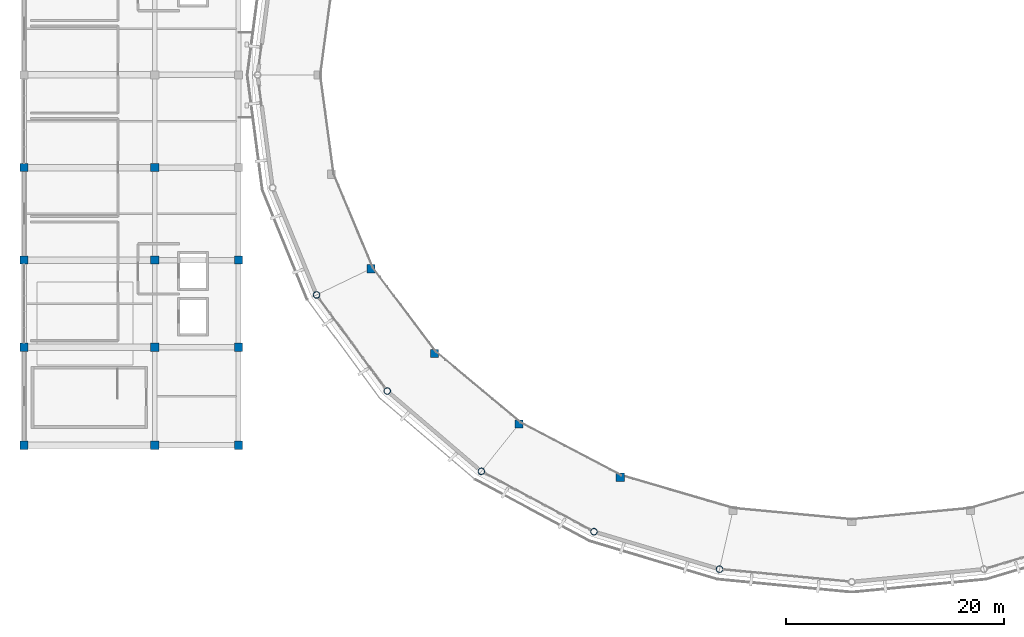
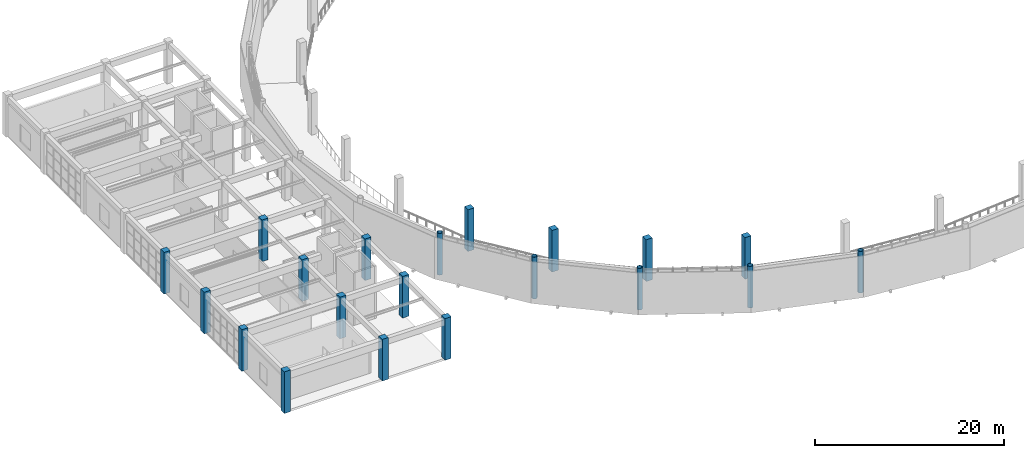
# One storey, part 1 of 40: 20 columns.
"""IFC4 building model written with IfcOpenShell, lengths in metres."""

from ifc_helpers import new_model, si_unit, direction, frame, origin, origin_2d, place, context, subcontext, project, spatial, rectangle, hollow_circle, extrude, material, material_profile, profile_set, type_object, element, save


model = new_model("IFC4")

# Units and contexts
model_context = context("Model", 3, precision=1e-05, world=origin(), true_north=direction((0.0, 1.0)))
body_context = subcontext(model_context, "Body", "Model", "MODEL_VIEW")
ifc_project = project(units=[si_unit("LENGTHUNIT", "METRE"), si_unit("AREAUNIT", "SQUARE_METRE"), si_unit("VOLUMEUNIT", "CUBIC_METRE"), si_unit("PLANEANGLEUNIT", "RADIAN"), si_unit("MASSUNIT", "GRAM", prefix="KILO")], contexts=[model_context])

# Site, building, storey
site_placement = place(None, origin())
site = spatial("IfcSite", under=ifc_project, at=site_placement, CompositionType="ELEMENT")
building_placement = place(site_placement, origin())
building = spatial("IfcBuilding", under=site, at=building_placement, Name="Cuetzalor Civic Arena", CompositionType="ELEMENT")
storey_placement = place(building_placement, frame((0.0, 0.0, 26.39990234375)))
storey = spatial("IfcBuildingStorey", under=building, at=storey_placement, Name="L05", CompositionType="ELEMENT", Elevation=26.39990234375)

# Columns
ifc_material_1 = material(Name="Concrete C40/50", Category="concrete")
ifc_material_profile_1 = material_profile(ifc_material_1, rectangle(XDim=0.75, YDim=0.75, at=origin_2d()), Name="RC 750x750")
ifc_profile_set_1 = profile_set([ifc_material_profile_1], Name="Concrete C40/50")
column_type_1 = type_object("IfcColumnType", Name="ConcreteColumn_750", PredefinedType="COLUMN", material=ifc_profile_set_1)
for number, where, z_axis, x_axis, name in (
    (1, (-44.1474609375, -17.789306640625, 0.0), (0.0, 0.0, 1.0), (1.0, 0.0, 0.0), "Column V1-REC-17 L05"),
    (2, (-38.309814453125, -25.56298828125, 0.0), (0.0, 0.0, 1.0), (1.0, 0.0, 0.0), "Column V1-REC-18 L05"),
    (3, (-30.551025390625, -32.05517578125, 0.0), (0.0, 0.0, 1.0), (1.0, 0.0, 0.0), "Column V1-REC-19 L05"),
    (4, (-21.26025390625, -36.939697265625, 0.0), (0.0, 0.0, 1.0), (1.0, 0.0, 0.0), "Column V1-REC-20 L05"),
    (5, (-76.0, -34.0, 0.0), (0.0, 0.0, 1.0), (1.0, 0.0, 0.0), "Column V4W-C-02-03 L05"),
    (6, (-76.0, -25.0, 0.0), (0.0, 0.0, 1.0), (1.0, 0.0, 0.0), "Column V4W-C-02-04 L05"),
    (7, (-76.0, -17.0, 0.0), (0.0, 0.0, 1.0), (1.0, 0.0, 0.0), "Column V4W-C-02-05 L05"),
    (8, (-76.0, -8.5, 0.0), (0.0, 0.0, 1.0), (1.0, 0.0, 0.0), "Column V4W-C-02-06 L05"),
    (9, (-64.0, -34.0, 0.0), (0.0, 0.0, 1.0), (1.0, 0.0, 0.0), "Column V4W-C-03-03 L05"),
    (10, (-64.0, -25.0, 0.0), (0.0, 0.0, 1.0), (1.0, 0.0, 0.0), "Column V4W-C-03-04 L05"),
    (11, (-64.0, -17.0, 0.0), (0.0, 0.0, 1.0), (1.0, 0.0, 0.0), "Column V4W-C-03-05 L05"),
    (12, (-64.0, -8.5, 0.0), (0.0, 0.0, 1.0), (1.0, 0.0, 0.0), "Column V4W-C-03-06 L05"),
    (13, (-56.300048828125, -34.0, 0.0), (0.0, 0.0, 1.0), (1.0, 0.0, 0.0), "Column V4W-C-04-03 L05"),
    (14, (-56.300048828125, -25.0, 0.0), (0.0, 0.0, 1.0), (1.0, 0.0, 0.0), "Column V4W-C-04-04 L05"),
    (15, (-56.300048828125, -17.0, 0.0), (0.0, 0.0, 1.0), (1.0, 0.0, 0.0), "Column V4W-C-04-05 L05"),
):
    element("IfcColumn", number, at=place(storey_placement, frame(where, z_axis=z_axis, x_axis=x_axis)), inside=storey, type_object=column_type_1, Name=name, PredefinedType="COLUMN", context=body_context, shape_type="SweptSolid", body=[
        extrude(rectangle(XDim=0.75, YDim=0.75, at=origin_2d()), origin(), (0.0, 0.0, 1.0), 5.400146484375),
    ])
ifc_material_2 = material(Name="Steel S355", Category="steel")
ifc_material_profile_2 = material_profile(ifc_material_2, hollow_circle(Radius=0.304931640625, WallThickness=0.02490234375, at=origin_2d()), Name="CHS 610x25")
ifc_profile_set_2 = profile_set([ifc_material_profile_2], Name="Steel S355")
column_type_2 = type_object("IfcColumnType", Name="SteelDomePylon_CHS610", PredefinedType="COLUMN", material=ifc_profile_set_2)
for number, where, z_axis, x_axis, name in (
    (16, (-49.14794921875, -20.197265625, 0.0), (0.0, 0.0, 1.0), (1.0, 0.0, 0.0), "Column V1-PYL-17 L05"),
    (17, (-42.64892578125, -29.0234375, 0.0), (0.0, 0.0, 1.0), (1.0, 0.0, 0.0), "Column V1-PYL-18 L05"),
    (18, (-34.011474609375, -36.394287109375, 0.0), (0.0, 0.0, 1.0), (1.0, 0.0, 0.0), "Column V1-PYL-19 L05"),
    (19, (-23.66845703125, -41.940185546875, 0.0), (0.0, 0.0, 1.0), (1.0, 0.0, 0.0), "Column V1-PYL-20 L05"),
    (20, (-12.138427734375, -45.3828125, 0.0), (0.0, 0.0, 1.0), (1.0, 0.0, 0.0), "Column V1-PYL-21 L05"),
):
    element("IfcColumn", number, at=place(storey_placement, frame(where, z_axis=z_axis, x_axis=x_axis)), inside=storey, type_object=column_type_2, Name=name, PredefinedType="COLUMN", context=body_context, shape_type="SweptSolid", body=[
        extrude(hollow_circle(Radius=0.304931640625, WallThickness=0.02490234375, at=origin_2d()), origin(), (0.0, 0.0, 1.0), 5.400146484375),
    ])

save(model, "model.ifc")
